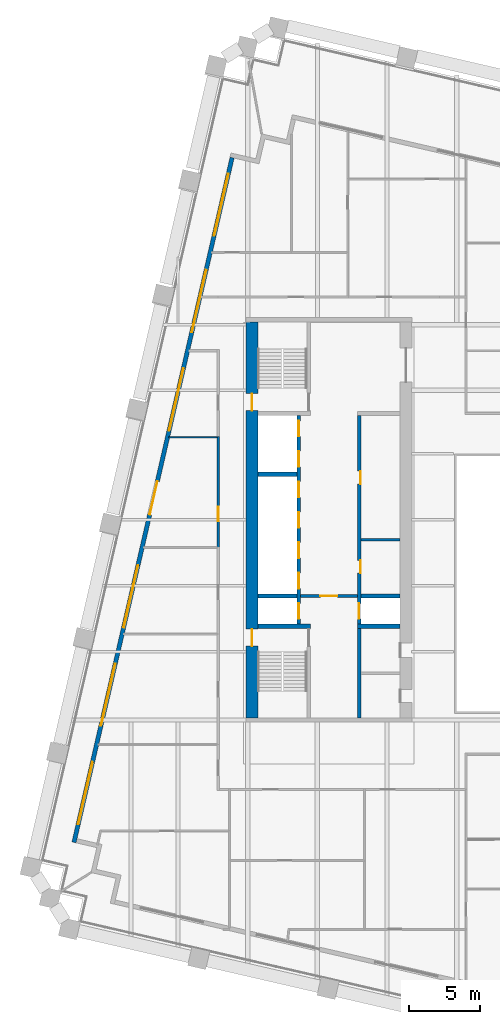
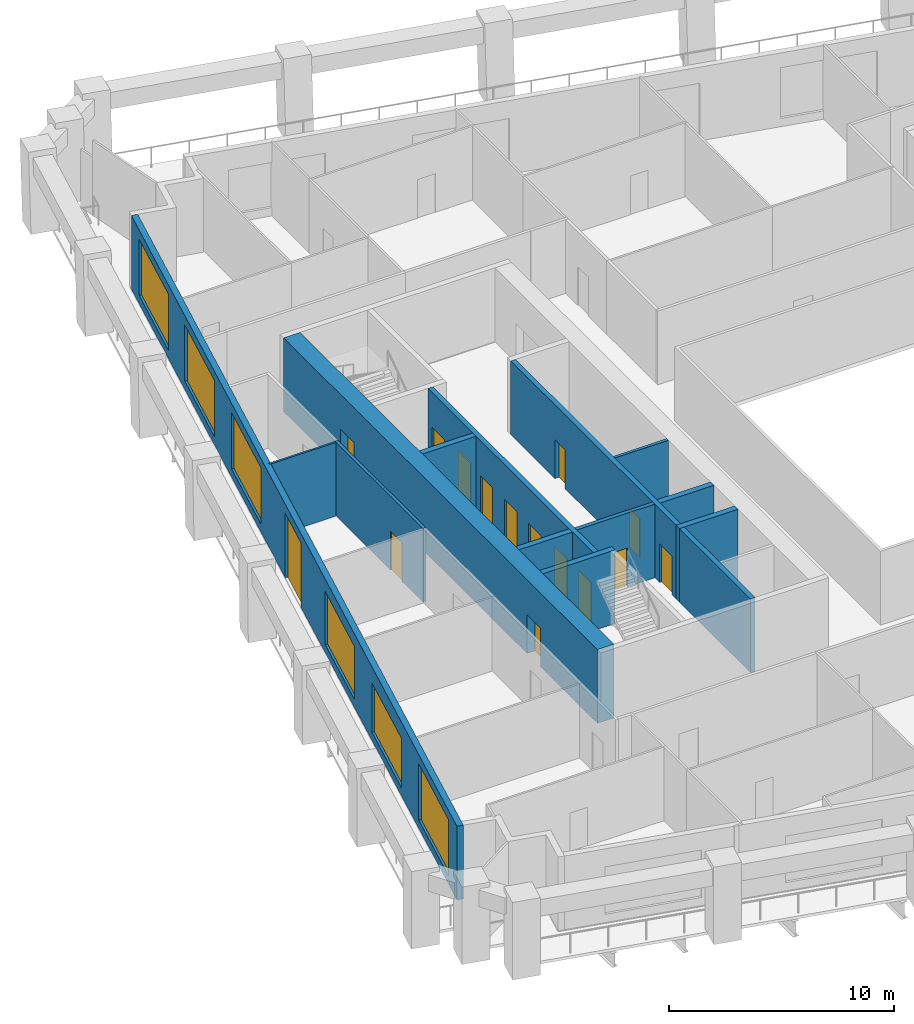
# One storey, part 6 of 11: 15 doors, 13 walls, 6 windows, 21 openings.
"""IFC4 building model written with IfcOpenShell, lengths in metres."""

from ifc_helpers import new_model, si_unit, direction, frame, frame_2d, origin, place, context, subcontext, project, spatial, rectangle, extrude, material, layer, layer_set, type_object, element, fill, save


model = new_model("IFC4")

# Units and contexts
model_context = context("Model", 3, precision=1e-05, world=origin(), true_north=direction((0.0, 1.0)))
body_context = subcontext(model_context, "Body", "Model", "MODEL_VIEW")
ifc_project = project(units=[si_unit("LENGTHUNIT", "METRE"), si_unit("AREAUNIT", "SQUARE_METRE"), si_unit("VOLUMEUNIT", "CUBIC_METRE"), si_unit("PLANEANGLEUNIT", "RADIAN"), si_unit("MASSUNIT", "GRAM", prefix="KILO")], contexts=[model_context])

# Site, building, storey
site_placement = place(None, origin())
site = spatial("IfcSite", under=ifc_project, at=site_placement, CompositionType="ELEMENT")
building_placement = place(site_placement, origin())
building = spatial("IfcBuilding", under=site, at=building_placement, Name="Ogive Exchange Tower", CompositionType="ELEMENT")
storey_placement = place(building_placement, frame((0.0, 0.0, 135.0)))
storey = spatial("IfcBuildingStorey", under=building, at=storey_placement, Name="L29", CompositionType="ELEMENT", Elevation=135.0)

# Wall
ifc_material_1 = material(Name="Gypsum board partition")
ifc_layer_1 = layer(ifc_material_1, 0.14990234375)
ifc_layer_set_1 = layer_set([ifc_layer_1], Name="Core room partition 150 gypsum")
wall_type_1 = type_object("IfcWallType", Name="Core room partition 150 gypsum", PredefinedType="PARTITIONING", material=ifc_layer_set_1)
wall_1_placement = place(storey_placement, frame((-13.75, 10.10009765625, 0.0), z_axis=(0.0, 0.0, 1.0), x_axis=(1.0, 0.0, 0.0)))
element("IfcWall", 1, at=wall_1_placement, inside=storey, type_object=wall_type_1, Name="W row B bay partition 1-1", PredefinedType="PARTITIONING", context=body_context, shape_type="SweptSolid", body=[
    extrude(rectangle(XDim=2.75, YDim=0.14990234375, at=frame_2d((1.375, 0.0))), origin(), (0.0, 0.0, 1.0), 4.0),
])

# Wall, opening, door
ifc_material_2 = material(Name="Fire partition EI 60 150")
ifc_layer_2 = layer(ifc_material_2, 0.14990234375)
ifc_layer_set_2 = layer_set([ifc_layer_2], Name="Fire partition EI 60 150")
wall_type_2 = type_object("IfcWallType", Name="Fire partition EI 60 150", PredefinedType="PARTITIONING", material=ifc_layer_set_2)
wall_2_placement = place(storey_placement, frame((-23.800048828125, 9.550048828125, 0.0), z_axis=(0.0, 0.0, 1.0), x_axis=(0.0, 1.0, 0.0)))
wall_2 = element("IfcWall", 2, at=wall_2_placement, inside=storey, type_object=wall_type_2, Name="L29-PWL-009", PredefinedType="PARTITIONING", context=body_context, shape_type="SweptSolid", body=[
    extrude(rectangle(XDim=7.820068359375, YDim=0.14990234375, at=frame_2d((3.91015625, 0.0))), origin(), (0.0, 0.0, 1.0), 4.0),
])
opening_1_placement = place(wall_2_placement, frame((1.8701171875, 0.0, 0.0)))
opening_1 = element("IfcOpeningElement", 3, at=opening_1_placement, cuts=wall_2, Name="Opening L29-I24", PredefinedType="OPENING", context=body_context, shape_type="SweptSolid", body=[
    extrude(rectangle(XDim=1.0, YDim=2.10009765625, at=frame_2d((0.5, 1.050048828125))), frame((0.0, 0.0849609375, 0.0), z_axis=(0.0, -1.0, 0.0), x_axis=(1.0, 0.0, 0.0)), (0.0, 0.0, 1.0), 0.169921875),
])
ifc_material_3 = material(Name="Fire door FD 30S 1000 x 2100")
door_type_1 = type_object("IfcDoorType", Name="Fire door FD 30S 1000 x 2100", OperationType="NOTDEFINED", PredefinedType="DOOR", material=ifc_material_3)
door_1_placement = place(opening_1_placement, origin())
door_1 = element("IfcDoor", 4, at=door_1_placement, inside=storey, type_object=door_type_1, Name="L29-IDR-024", ObjectType="DT3", OperationType="SINGLE_SWING_RIGHT", OverallHeight=2.10009765625, OverallWidth=1.0, PredefinedType="DOOR", context=body_context, shape_type="SweptSolid", body=[
    extrude(rectangle(XDim=1.0, YDim=2.10009765625, at=frame_2d((0.5, 1.050048828125))), frame((0.0, 0.02490234375, 0.0), z_axis=(0.0, -1.0, 0.0), x_axis=(1.0, 0.0, 0.0)), (0.0, 0.0, 1.0), 0.050048828125),
])
fill(opening_1, door_1)

# Wall, openings, door, windows
ifc_material_4 = material(Name="Precast concrete C40/50", Category="concrete")
ifc_layer_3 = layer(ifc_material_4, 0.300048828125)
ifc_layer_set_3 = layer_set([ifc_layer_3], Name="Limestone-faced wall 300")
wall_type_3 = type_object("IfcWallType", Name="Limestone-faced wall 300", PredefinedType="STANDARD", material=ifc_layer_set_3)
wall_3_placement = place(storey_placement, frame((-22.8203125, 37.015625, 0.0), z_axis=(0.0, 0.0, 1.0), x_axis=(-0.224953880882, -0.974369412223, 0.0)))
wall_3 = element("IfcWall", 5, at=wall_3_placement, inside=storey, type_object=wall_type_3, Name="External wall W4", PredefinedType="STANDARD", context=body_context, shape_type="SweptSolid", body=[
    extrude(rectangle(XDim=49.500244140625, YDim=0.300048828125, at=frame_2d((24.75, 0.0))), origin(), (0.0, 0.0, 1.0), 4.0),
])
opening_2_placement = place(wall_3_placement, frame((1.156982421875, 0.0, 0.449951171875)))
opening_2 = element("IfcOpeningElement", 6, at=opening_2_placement, cuts=wall_3, Name="Opening W1", PredefinedType="OPENING", context=body_context, shape_type="SweptSolid", body=[
    extrude(rectangle(XDim=4.5, YDim=3.050048828125, at=frame_2d((2.25, 1.52490234375))), frame((0.0, 0.159912109375, 0.0), z_axis=(0.0, -1.0, 0.0), x_axis=(1.0, 0.0, 0.0)), (0.0, 0.0, 1.0), 0.320068359375),
])
opening_3_placement = place(wall_3_placement, frame((8.121337890625, 0.0, 0.449951171875)))
opening_3 = element("IfcOpeningElement", 7, at=opening_3_placement, cuts=wall_3, Name="Opening W1", PredefinedType="OPENING", context=body_context, shape_type="SweptSolid", body=[
    extrude(rectangle(XDim=4.5, YDim=3.050048828125, at=frame_2d((2.25, 1.52490234375))), frame((0.0, 0.159912109375, 0.0), z_axis=(0.0, -1.0, 0.0), x_axis=(1.0, 0.0, 0.0)), (0.0, 0.0, 1.0), 0.320068359375),
])
opening_4_placement = place(wall_3_placement, frame((15.235595703125, 0.0, 0.449951171875)))
opening_4 = element("IfcOpeningElement", 8, at=opening_4_placement, cuts=wall_3, Name="Opening W1", PredefinedType="OPENING", context=body_context, shape_type="SweptSolid", body=[
    extrude(rectangle(XDim=4.5, YDim=3.050048828125, at=frame_2d((2.25, 1.52490234375))), frame((0.0, 0.159912109375, 0.0), z_axis=(0.0, -1.0, 0.0), x_axis=(1.0, 0.0, 0.0)), (0.0, 0.0, 1.0), 0.320068359375),
])
opening_5_placement = place(wall_3_placement, frame((23.39990234375, 0.0, 0.0)))
opening_5 = element("IfcOpeningElement", 9, at=opening_5_placement, cuts=wall_3, Name="Opening D1", PredefinedType="OPENING", context=body_context, shape_type="SweptSolid", body=[
    extrude(rectangle(XDim=2.39990234375, YDim=3.5, at=frame_2d((1.199951171875, 1.75))), frame((0.0, 0.159912109375, 0.0), z_axis=(0.0, -1.0, 0.0), x_axis=(1.0, 0.0, 0.0)), (0.0, 0.0, 1.0), 0.320068359375),
])
opening_6_placement = place(wall_3_placement, frame((29.464111328125, 0.0, 0.449951171875)))
opening_6 = element("IfcOpeningElement", 10, at=opening_6_placement, cuts=wall_3, Name="Opening W1D", PredefinedType="OPENING", context=body_context, shape_type="SweptSolid", body=[
    extrude(rectangle(XDim=4.5, YDim=2.875, at=frame_2d((2.25, 1.4375))), frame((0.0, 0.159912109375, 0.0), z_axis=(0.0, -1.0, 0.0), x_axis=(1.0, 0.0, 0.0)), (0.0, 0.0, 1.0), 0.320068359375),
])
opening_7_placement = place(wall_3_placement, frame((36.57861328125, 0.0, 0.449951171875)))
opening_7 = element("IfcOpeningElement", 11, at=opening_7_placement, cuts=wall_3, Name="Opening W1J", PredefinedType="OPENING", context=body_context, shape_type="SweptSolid", body=[
    extrude(rectangle(XDim=4.5, YDim=2.675048828125, at=frame_2d((2.25, 1.33740234375))), frame((0.0, 0.159912109375, 0.0), z_axis=(0.0, -1.0, 0.0), x_axis=(1.0, 0.0, 0.0)), (0.0, 0.0, 1.0), 0.320068359375),
])
opening_8_placement = place(wall_3_placement, frame((43.69287109375, 0.0, 0.449951171875)))
opening_8 = element("IfcOpeningElement", 12, at=opening_8_placement, cuts=wall_3, Name="Opening W1", PredefinedType="OPENING", context=body_context, shape_type="SweptSolid", body=[
    extrude(rectangle(XDim=4.5, YDim=3.050048828125, at=frame_2d((2.25, 1.52490234375))), frame((0.0, 0.159912109375, 0.0), z_axis=(0.0, -1.0, 0.0), x_axis=(1.0, 0.0, 0.0)), (0.0, 0.0, 1.0), 0.320068359375),
])
ifc_material_5 = material(Name="Clear glass in bronze frame", Category="glass")
door_type_2 = type_object("IfcDoorType", Name="Sliding loggia door 2400 x 3500", OperationType="DOUBLE_DOOR_SLIDING", PredefinedType="DOOR", material=ifc_material_5)
door_2_placement = place(opening_5_placement, origin())
door_2 = element("IfcDoor", 13, at=door_2_placement, inside=storey, type_object=door_type_2, Name="Loggia door W03", OperationType="DOUBLE_DOOR_SLIDING", OverallHeight=3.5, OverallWidth=2.39990234375, PredefinedType="DOOR", context=body_context, shape_type="SweptSolid", body=[
    extrude(rectangle(XDim=2.39990234375, YDim=3.5, at=frame_2d((1.199951171875, 1.75))), frame((0.0, 0.02490234375, 0.0), z_axis=(0.0, -1.0, 0.0), x_axis=(1.0, 0.0, 0.0)), (0.0, 0.0, 1.0), 0.050048828125),
])
fill(opening_5, door_2)
window_type_1 = type_object("IfcWindowType", Name="Twin lancet window 4500 x 2675", PartitioningType="DOUBLE_PANEL_VERTICAL", PredefinedType="WINDOW", material=ifc_material_5)
window_1_placement = place(opening_7_placement, origin())
window_1 = element("IfcWindow", 14, at=window_1_placement, inside=storey, type_object=window_type_1, Name="Window W05", OverallHeight=2.675048828125, OverallWidth=4.5, PartitioningType="DOUBLE_PANEL_VERTICAL", PredefinedType="WINDOW", context=body_context, shape_type="SweptSolid", body=[
    extrude(rectangle(XDim=4.5, YDim=2.675048828125, at=frame_2d((2.25, 1.33740234375))), frame((0.0, 0.030029296875, 0.0), z_axis=(0.0, -1.0, 0.0), x_axis=(1.0, 0.0, 0.0)), (0.0, 0.0, 1.0), 0.06005859375),
])
fill(opening_7, window_1)
window_type_2 = type_object("IfcWindowType", Name="Twin lancet window 4500 x 2875", PartitioningType="DOUBLE_PANEL_VERTICAL", PredefinedType="WINDOW", material=ifc_material_5)
window_2_placement = place(opening_6_placement, origin())
window_2 = element("IfcWindow", 15, at=window_2_placement, inside=storey, type_object=window_type_2, Name="Window W04", OverallHeight=2.875, OverallWidth=4.5, PartitioningType="DOUBLE_PANEL_VERTICAL", PredefinedType="WINDOW", context=body_context, shape_type="SweptSolid", body=[
    extrude(rectangle(XDim=4.5, YDim=2.875, at=frame_2d((2.25, 1.4375))), frame((0.0, 0.030029296875, 0.0), z_axis=(0.0, -1.0, 0.0), x_axis=(1.0, 0.0, 0.0)), (0.0, 0.0, 1.0), 0.06005859375),
])
fill(opening_6, window_2)
window_type_3 = type_object("IfcWindowType", Name="Twin lancet window 4500 x 3050", PartitioningType="DOUBLE_PANEL_VERTICAL", PredefinedType="WINDOW", material=ifc_material_5)
window_3_placement = place(opening_2_placement, origin())
window_3 = element("IfcWindow", 16, at=window_3_placement, inside=storey, type_object=window_type_3, Name="Window W00", OverallHeight=3.050048828125, OverallWidth=4.5, PartitioningType="DOUBLE_PANEL_VERTICAL", PredefinedType="WINDOW", context=body_context, shape_type="SweptSolid", body=[
    extrude(rectangle(XDim=4.5, YDim=3.050048828125, at=frame_2d((2.25, 1.52490234375))), frame((0.0, 0.030029296875, 0.0), z_axis=(0.0, -1.0, 0.0), x_axis=(1.0, 0.0, 0.0)), (0.0, 0.0, 1.0), 0.06005859375),
])
fill(opening_2, window_3)
window_4_placement = place(opening_3_placement, origin())
window_4 = element("IfcWindow", 17, at=window_4_placement, inside=storey, type_object=window_type_3, Name="Window W01", OverallHeight=3.050048828125, OverallWidth=4.5, PartitioningType="DOUBLE_PANEL_VERTICAL", PredefinedType="WINDOW", context=body_context, shape_type="SweptSolid", body=[
    extrude(rectangle(XDim=4.5, YDim=3.050048828125, at=frame_2d((2.25, 1.52490234375))), frame((0.0, 0.030029296875, 0.0), z_axis=(0.0, -1.0, 0.0), x_axis=(1.0, 0.0, 0.0)), (0.0, 0.0, 1.0), 0.06005859375),
])
fill(opening_3, window_4)
window_5_placement = place(opening_4_placement, origin())
window_5 = element("IfcWindow", 18, at=window_5_placement, inside=storey, type_object=window_type_3, Name="Window W02", OverallHeight=3.050048828125, OverallWidth=4.5, PartitioningType="DOUBLE_PANEL_VERTICAL", PredefinedType="WINDOW", context=body_context, shape_type="SweptSolid", body=[
    extrude(rectangle(XDim=4.5, YDim=3.050048828125, at=frame_2d((2.25, 1.52490234375))), frame((0.0, 0.030029296875, 0.0), z_axis=(0.0, -1.0, 0.0), x_axis=(1.0, 0.0, 0.0)), (0.0, 0.0, 1.0), 0.06005859375),
])
fill(opening_4, window_5)
window_6_placement = place(opening_8_placement, origin())
window_6 = element("IfcWindow", 19, at=window_6_placement, inside=storey, type_object=window_type_3, Name="Window W06", OverallHeight=3.050048828125, OverallWidth=4.5, PartitioningType="DOUBLE_PANEL_VERTICAL", PredefinedType="WINDOW", context=body_context, shape_type="SweptSolid", body=[
    extrude(rectangle(XDim=4.5, YDim=3.050048828125, at=frame_2d((2.25, 1.52490234375))), frame((0.0, 0.030029296875, 0.0), z_axis=(0.0, -1.0, 0.0), x_axis=(1.0, 0.0, 0.0)), (0.0, 0.0, 1.0), 0.06005859375),
])
fill(opening_8, window_6)

# Wall
ifc_material_6 = material(Name="Partition 100 gypsum")
ifc_layer_4 = layer(ifc_material_6, 0.10009765625)
ifc_layer_set_4 = layer_set([ifc_layer_4], Name="Partition 100 gypsum")
wall_type_4 = type_object("IfcWallType", Name="Partition 100 gypsum", PredefinedType="PARTITIONING", material=ifc_layer_set_4)
wall_4_placement = place(storey_placement, frame((-23.875, 17.320068359375, 0.0), z_axis=(0.0, 0.0, 1.0), x_axis=(-1.0, 0.0, 0.0)))
element("IfcWall", 20, at=wall_4_placement, inside=storey, type_object=wall_type_4, Name="L29-PWL-010", PredefinedType="PARTITIONING", context=body_context, shape_type="SweptSolid", body=[
    extrude(rectangle(XDim=3.4208984375, YDim=0.10009765625, at=frame_2d((1.71044921875, 0.0))), origin(), (0.0, 0.0, 1.0), 4.0),
])

# Wall, opening, door
ifc_material_7 = material(Name="Concrete C70/85", Category="concrete")
ifc_layer_5 = layer(ifc_material_7, 0.199951171875)
ifc_layer_set_5 = layer_set([ifc_layer_5], Name="RC core wall 200 C70/85")
wall_type_5 = type_object("IfcWallType", Name="RC core wall 200 C70/85", PredefinedType="SHEAR", material=ifc_layer_set_5)
wall_5_placement = place(storey_placement, frame((-18.0, 6.142822265625, 0.0), z_axis=(0.0, 0.0, 1.0), x_axis=(1.0, 0.0, 0.0)))
wall_5 = element("IfcWall", 21, at=wall_5_placement, inside=storey, type_object=wall_type_5, Name="W firefighting lobby wall", PredefinedType="SHEAR", context=body_context, shape_type="SweptSolid", body=[
    extrude(rectangle(XDim=4.0, YDim=0.199951171875, at=frame_2d((2.0, 0.0))), origin(), (0.0, 0.0, 1.0), 4.0),
])
opening_9_placement = place(wall_5_placement, frame((1.39990234375, 0.0, 0.0)))
opening_9 = element("IfcOpeningElement", 22, at=opening_9_placement, cuts=wall_5, Name="Opening L29-C11", PredefinedType="OPENING", context=body_context, shape_type="SweptSolid", body=[
    extrude(rectangle(XDim=1.199951171875, YDim=2.10009765625, at=frame_2d((0.60009765625, 1.050048828125))), frame((0.0, 0.10986328125, 0.0), z_axis=(0.0, -1.0, 0.0), x_axis=(1.0, 0.0, 0.0)), (0.0, 0.0, 1.0), 0.219970703125),
])
ifc_material_8 = material(Name="Steel fire door", Category="steel")
door_type_3 = type_object("IfcDoorType", Name="Firefighting lobby door FD60 1200 x 2100", OperationType="NOTDEFINED", PredefinedType="DOOR", material=ifc_material_8)
door_3_placement = place(opening_9_placement, frame((1.199951171875, 0.0, 0.0), z_axis=(0.0, 0.0, 1.0), x_axis=(-1.0, 0.0, 0.0)))
door_3 = element("IfcDoor", 23, at=door_3_placement, inside=storey, type_object=door_type_3, Name="Firefighting lobby door", ObjectType="CD3", OperationType="SINGLE_SWING_LEFT", OverallHeight=2.10009765625, OverallWidth=1.199951171875, PredefinedType="DOOR", context=body_context, shape_type="SweptSolid", body=[
    extrude(rectangle(XDim=1.199951171875, YDim=2.10009765625, at=frame_2d((0.60009765625, 1.050048828125))), frame((0.0, 0.02490234375, 0.0), z_axis=(0.0, -1.0, 0.0), x_axis=(1.0, 0.0, 0.0)), (0.0, 0.0, 1.0), 0.050048828125),
])
fill(opening_9, door_3)

# Wall, openings, doors
ifc_layer_6 = layer(ifc_material_7, 0.25)
ifc_layer_set_6 = layer_set([ifc_layer_6], Name="RC core wall 250 C70/85")
wall_type_6 = type_object("IfcWallType", Name="RC core wall 250 C70/85", PredefinedType="SHEAR", material=ifc_layer_set_6)
wall_6_placement = place(storey_placement, frame((-18.125, 4.14990234375, 0.0), z_axis=(0.0, 0.0, 1.0), x_axis=(0.0, 1.0, 0.0)))
wall_6 = element("IfcWall", 24, at=wall_6_placement, inside=storey, type_object=wall_type_6, Name="W row A front wall", PredefinedType="SHEAR", context=body_context, shape_type="SweptSolid", body=[
    extrude(rectangle(XDim=14.7001953125, YDim=0.25, at=frame_2d((7.35009765625, 0.0))), origin(), (0.0, 0.0, 1.0), 4.0),
])
opening_10_placement = place(wall_6_placement, frame((0.371337890625, 0.0, 0.0)))
opening_10 = element("IfcOpeningElement", 25, at=opening_10_placement, cuts=wall_6, Name="Opening L29-C01", PredefinedType="OPENING", context=body_context, shape_type="SweptSolid", body=[
    extrude(rectangle(XDim=1.10009765625, YDim=2.10009765625, at=frame_2d((0.550048828125, 1.050048828125))), frame((0.0, 0.135009765625, 0.0), z_axis=(0.0, -1.0, 0.0), x_axis=(1.0, 0.0, 0.0)), (0.0, 0.0, 1.0), 0.27001953125),
])
opening_11_placement = place(wall_6_placement, frame((2.514404296875, 0.0, 0.0)))
opening_11 = element("IfcOpeningElement", 26, at=opening_11_placement, cuts=wall_6, Name="Opening L29-C02", PredefinedType="OPENING", context=body_context, shape_type="SweptSolid", body=[
    extrude(rectangle(XDim=1.10009765625, YDim=2.10009765625, at=frame_2d((0.550048828125, 1.050048828125))), frame((0.0, 0.135009765625, 0.0), z_axis=(0.0, -1.0, 0.0), x_axis=(1.0, 0.0, 0.0)), (0.0, 0.0, 1.0), 0.27001953125),
])
opening_12_placement = place(wall_6_placement, frame((4.656982421875, 0.0, 0.0)))
opening_12 = element("IfcOpeningElement", 27, at=opening_12_placement, cuts=wall_6, Name="Opening L29-C03", PredefinedType="OPENING", context=body_context, shape_type="SweptSolid", body=[
    extrude(rectangle(XDim=1.10009765625, YDim=2.10009765625, at=frame_2d((0.550048828125, 1.050048828125))), frame((0.0, 0.135009765625, 0.0), z_axis=(0.0, -1.0, 0.0), x_axis=(1.0, 0.0, 0.0)), (0.0, 0.0, 1.0), 0.27001953125),
])
opening_13_placement = place(wall_6_placement, frame((6.800048828125, 0.0, 0.0)))
opening_13 = element("IfcOpeningElement", 28, at=opening_13_placement, cuts=wall_6, Name="Opening L29-C04", PredefinedType="OPENING", context=body_context, shape_type="SweptSolid", body=[
    extrude(rectangle(XDim=1.10009765625, YDim=2.10009765625, at=frame_2d((0.550048828125, 1.050048828125))), frame((0.0, 0.135009765625, 0.0), z_axis=(0.0, -1.0, 0.0), x_axis=(1.0, 0.0, 0.0)), (0.0, 0.0, 1.0), 0.27001953125),
])
opening_14_placement = place(wall_6_placement, frame((8.94287109375, 0.0, 0.0)))
opening_14 = element("IfcOpeningElement", 29, at=opening_14_placement, cuts=wall_6, Name="Opening L29-C05", PredefinedType="OPENING", context=body_context, shape_type="SweptSolid", body=[
    extrude(rectangle(XDim=1.10009765625, YDim=2.10009765625, at=frame_2d((0.550048828125, 1.050048828125))), frame((0.0, 0.135009765625, 0.0), z_axis=(0.0, -1.0, 0.0), x_axis=(1.0, 0.0, 0.0)), (0.0, 0.0, 1.0), 0.27001953125),
])
opening_15_placement = place(wall_6_placement, frame((11.085693359375, 0.0, 0.0)))
opening_15 = element("IfcOpeningElement", 30, at=opening_15_placement, cuts=wall_6, Name="Opening L29-C06", PredefinedType="OPENING", context=body_context, shape_type="SweptSolid", body=[
    extrude(rectangle(XDim=1.10009765625, YDim=2.10009765625, at=frame_2d((0.550048828125, 1.050048828125))), frame((0.0, 0.135009765625, 0.0), z_axis=(0.0, -1.0, 0.0), x_axis=(1.0, 0.0, 0.0)), (0.0, 0.0, 1.0), 0.27001953125),
])
opening_16_placement = place(wall_6_placement, frame((13.228515625, 0.0, 0.0)))
opening_16 = element("IfcOpeningElement", 31, at=opening_16_placement, cuts=wall_6, Name="Opening L29-C07", PredefinedType="OPENING", context=body_context, shape_type="SweptSolid", body=[
    extrude(rectangle(XDim=1.10009765625, YDim=2.10009765625, at=frame_2d((0.550048828125, 1.050048828125))), frame((0.0, 0.135009765625, 0.0), z_axis=(0.0, -1.0, 0.0), x_axis=(1.0, 0.0, 0.0)), (0.0, 0.0, 1.0), 0.27001953125),
])
ifc_material_9 = material(Name="Stainless steel", Category="steel")
door_type_4 = type_object("IfcDoorType", Name="Lift landing door FD90 1100 x 2100", OperationType="SLIDING_TO_LEFT", PredefinedType="DOOR", material=ifc_material_9)
door_4_placement = place(opening_10_placement, origin())
door_4 = element("IfcDoor", 32, at=door_4_placement, inside=storey, type_object=door_type_4, Name="Lift landing door FF1", ObjectType="LD", OperationType="SLIDING_TO_LEFT", OverallHeight=2.10009765625, OverallWidth=1.10009765625, PredefinedType="DOOR", context=body_context, shape_type="SweptSolid", body=[
    extrude(rectangle(XDim=1.10009765625, YDim=2.10009765625, at=frame_2d((0.550048828125, 1.050048828125))), frame((0.0, 0.02490234375, 0.0), z_axis=(0.0, -1.0, 0.0), x_axis=(1.0, 0.0, 0.0)), (0.0, 0.0, 1.0), 0.050048828125),
])
fill(opening_10, door_4)
door_5_placement = place(opening_11_placement, origin())
door_5 = element("IfcDoor", 33, at=door_5_placement, inside=storey, type_object=door_type_4, Name="Lift landing door W-L1", ObjectType="LD", OperationType="SLIDING_TO_LEFT", OverallHeight=2.10009765625, OverallWidth=1.10009765625, PredefinedType="DOOR", context=body_context, shape_type="SweptSolid", body=[
    extrude(rectangle(XDim=1.10009765625, YDim=2.10009765625, at=frame_2d((0.550048828125, 1.050048828125))), frame((0.0, 0.02490234375, 0.0), z_axis=(0.0, -1.0, 0.0), x_axis=(1.0, 0.0, 0.0)), (0.0, 0.0, 1.0), 0.050048828125),
])
fill(opening_11, door_5)
door_6_placement = place(opening_12_placement, origin())
door_6 = element("IfcDoor", 34, at=door_6_placement, inside=storey, type_object=door_type_4, Name="Lift landing door W-L2", ObjectType="LD", OperationType="SLIDING_TO_LEFT", OverallHeight=2.10009765625, OverallWidth=1.10009765625, PredefinedType="DOOR", context=body_context, shape_type="SweptSolid", body=[
    extrude(rectangle(XDim=1.10009765625, YDim=2.10009765625, at=frame_2d((0.550048828125, 1.050048828125))), frame((0.0, 0.02490234375, 0.0), z_axis=(0.0, -1.0, 0.0), x_axis=(1.0, 0.0, 0.0)), (0.0, 0.0, 1.0), 0.050048828125),
])
fill(opening_12, door_6)
door_7_placement = place(opening_13_placement, origin())
door_7 = element("IfcDoor", 35, at=door_7_placement, inside=storey, type_object=door_type_4, Name="Lift landing door W-L3", ObjectType="LD", OperationType="SLIDING_TO_LEFT", OverallHeight=2.10009765625, OverallWidth=1.10009765625, PredefinedType="DOOR", context=body_context, shape_type="SweptSolid", body=[
    extrude(rectangle(XDim=1.10009765625, YDim=2.10009765625, at=frame_2d((0.550048828125, 1.050048828125))), frame((0.0, 0.02490234375, 0.0), z_axis=(0.0, -1.0, 0.0), x_axis=(1.0, 0.0, 0.0)), (0.0, 0.0, 1.0), 0.050048828125),
])
fill(opening_13, door_7)
door_8_placement = place(opening_14_placement, origin())
door_8 = element("IfcDoor", 36, at=door_8_placement, inside=storey, type_object=door_type_4, Name="Lift landing door W-L4", ObjectType="LD", OperationType="SLIDING_TO_LEFT", OverallHeight=2.10009765625, OverallWidth=1.10009765625, PredefinedType="DOOR", context=body_context, shape_type="SweptSolid", body=[
    extrude(rectangle(XDim=1.10009765625, YDim=2.10009765625, at=frame_2d((0.550048828125, 1.050048828125))), frame((0.0, 0.02490234375, 0.0), z_axis=(0.0, -1.0, 0.0), x_axis=(1.0, 0.0, 0.0)), (0.0, 0.0, 1.0), 0.050048828125),
])
fill(opening_14, door_8)
door_9_placement = place(opening_15_placement, origin())
door_9 = element("IfcDoor", 37, at=door_9_placement, inside=storey, type_object=door_type_4, Name="Lift landing door W-SH1", ObjectType="LD", OperationType="SLIDING_TO_LEFT", OverallHeight=2.10009765625, OverallWidth=1.10009765625, PredefinedType="DOOR", context=body_context, shape_type="SweptSolid", body=[
    extrude(rectangle(XDim=1.10009765625, YDim=2.10009765625, at=frame_2d((0.550048828125, 1.050048828125))), frame((0.0, 0.02490234375, 0.0), z_axis=(0.0, -1.0, 0.0), x_axis=(1.0, 0.0, 0.0)), (0.0, 0.0, 1.0), 0.050048828125),
])
fill(opening_15, door_9)
door_10_placement = place(opening_16_placement, origin())
door_10 = element("IfcDoor", 38, at=door_10_placement, inside=storey, type_object=door_type_4, Name="Lift landing door W-SH2", ObjectType="LD", OperationType="SLIDING_TO_LEFT", OverallHeight=2.10009765625, OverallWidth=1.10009765625, PredefinedType="DOOR", context=body_context, shape_type="SweptSolid", body=[
    extrude(rectangle(XDim=1.10009765625, YDim=2.10009765625, at=frame_2d((0.550048828125, 1.050048828125))), frame((0.0, 0.02490234375, 0.0), z_axis=(0.0, -1.0, 0.0), x_axis=(1.0, 0.0, 0.0)), (0.0, 0.0, 1.0), 0.050048828125),
])
fill(opening_16, door_10)

wall_7_placement = place(storey_placement, frame((-13.875, -2.449951171875, 0.0), z_axis=(0.0, 0.0, 1.0), x_axis=(0.0, 1.0, 0.0)))
wall_7 = element("IfcWall", 39, at=wall_7_placement, inside=storey, type_object=wall_type_6, Name="W row B front wall", PredefinedType="SHEAR", context=body_context, shape_type="SweptSolid", body=[
    extrude(rectangle(XDim=21.300048828125, YDim=0.25, at=frame_2d((10.64990234375, 0.0))), origin(), (0.0, 0.0, 1.0), 4.0),
])
opening_17_placement = place(wall_7_placement, frame((10.1962890625, 0.0, 0.0)))
opening_17 = element("IfcOpeningElement", 40, at=opening_17_placement, cuts=wall_7, Name="Opening L29-C08", PredefinedType="OPENING", context=body_context, shape_type="SweptSolid", body=[
    extrude(rectangle(XDim=0.89990234375, YDim=2.10009765625, at=frame_2d((0.449951171875, 1.050048828125))), frame((0.0, 0.135009765625, 0.0), z_axis=(0.0, -1.0, 0.0), x_axis=(1.0, 0.0, 0.0)), (0.0, 0.0, 1.0), 0.27001953125),
])
opening_18_placement = place(wall_7_placement, frame((16.47509765625, 0.0, 0.0)))
opening_18 = element("IfcOpeningElement", 41, at=opening_18_placement, cuts=wall_7, Name="Opening L29-C09", PredefinedType="OPENING", context=body_context, shape_type="SweptSolid", body=[
    extrude(rectangle(XDim=0.89990234375, YDim=2.10009765625, at=frame_2d((0.449951171875, 1.050048828125))), frame((0.0, 0.135009765625, 0.0), z_axis=(0.0, -1.0, 0.0), x_axis=(1.0, 0.0, 0.0)), (0.0, 0.0, 1.0), 0.27001953125),
])
opening_19_placement = place(wall_7_placement, frame((6.971435546875, 0.0, 0.0)))
opening_19 = element("IfcOpeningElement", 42, at=opening_19_placement, cuts=wall_7, Name="Opening L29-C10", PredefinedType="OPENING", context=body_context, shape_type="SweptSolid", body=[
    extrude(rectangle(XDim=1.10009765625, YDim=2.10009765625, at=frame_2d((0.550048828125, 1.050048828125))), frame((0.0, 0.135009765625, 0.0), z_axis=(0.0, -1.0, 0.0), x_axis=(1.0, 0.0, 0.0)), (0.0, 0.0, 1.0), 0.27001953125),
])
ifc_material_10 = material(Name="Timber fire door", Category="wood")
door_type_5 = type_object("IfcDoorType", Name="Core room door FD30S 900 x 2100", OperationType="NOTDEFINED", PredefinedType="DOOR", material=ifc_material_10)
door_11_placement = place(opening_18_placement, frame((0.89990234375, -0.2001953125, 0.0), z_axis=(0.0, 0.0, 1.0), x_axis=(-1.0, 0.0, 0.0)))
door_11 = element("IfcDoor", 43, at=door_11_placement, inside=storey, type_object=door_type_5, Name="Core room door", ObjectType="CD6", OperationType="SINGLE_SWING_RIGHT", OverallHeight=2.10009765625, OverallWidth=0.89990234375, PredefinedType="DOOR", context=body_context, shape_type="SweptSolid", body=[
    extrude(rectangle(XDim=0.89990234375, YDim=2.10009765625, at=frame_2d((0.449951171875, 1.050048828125))), frame((0.0, -0.0751953125, 0.0), z_axis=(0.0, -1.0, 0.0), x_axis=(1.0, 0.0, 0.0)), (0.0, 0.0, 1.0), 0.050048828125),
])
fill(opening_18, door_11)
door_12_placement = place(opening_19_placement, origin())
door_12 = element("IfcDoor", 44, at=door_12_placement, inside=storey, type_object=door_type_4, Name="Lift landing door SV1", ObjectType="LD", OperationType="SLIDING_TO_LEFT", OverallHeight=2.10009765625, OverallWidth=1.10009765625, PredefinedType="DOOR", context=body_context, shape_type="SweptSolid", body=[
    extrude(rectangle(XDim=1.10009765625, YDim=2.10009765625, at=frame_2d((0.550048828125, 1.050048828125))), frame((0.0, 0.02490234375, 0.0), z_axis=(0.0, -1.0, 0.0), x_axis=(1.0, 0.0, 0.0)), (0.0, 0.0, 1.0), 0.050048828125),
])
fill(opening_19, door_12)
door_type_6 = type_object("IfcDoorType", Name="Riser door FD60 900 x 2100", OperationType="NOTDEFINED", PredefinedType="DOOR", material=ifc_material_8)
door_13_placement = place(opening_17_placement, frame((0.89990234375, -0.2001953125, 0.0), z_axis=(0.0, 0.0, 1.0), x_axis=(-1.0, 0.0, 0.0)))
door_13 = element("IfcDoor", 45, at=door_13_placement, inside=storey, type_object=door_type_6, Name="Riser door", ObjectType="CD2", OperationType="SINGLE_SWING_RIGHT", OverallHeight=2.10009765625, OverallWidth=0.89990234375, PredefinedType="DOOR", context=body_context, shape_type="SweptSolid", body=[
    extrude(rectangle(XDim=0.89990234375, YDim=2.10009765625, at=frame_2d((0.449951171875, 1.050048828125))), frame((0.0, -0.0751953125, 0.0), z_axis=(0.0, -1.0, 0.0), x_axis=(1.0, 0.0, 0.0)), (0.0, 0.0, 1.0), 0.050048828125),
])
fill(opening_17, door_13)

# Walls
ifc_layer_7 = layer(ifc_material_7, 0.300048828125)
ifc_layer_set_7 = layer_set([ifc_layer_7], Name="RC core wall 300 C70/85")
wall_type_7 = type_object("IfcWallType", Name="RC core wall 300 C70/85", PredefinedType="SHEAR", material=ifc_layer_set_7)
wall_8_placement = place(storey_placement, frame((-21.0, 4.0, 0.0), z_axis=(0.0, 0.0, 1.0), x_axis=(1.0, 0.0, 0.0)))
element("IfcWall", 46, at=wall_8_placement, inside=storey, type_object=wall_type_7, Name="W stair S north wall", PredefinedType="SHEAR", context=body_context, shape_type="SweptSolid", body=[
    extrude(rectangle(XDim=3.699951171875, YDim=0.300048828125, at=frame_2d((1.85009765625, 0.0))), origin(), (0.0, 0.0, 1.0), 4.0),
])
for number, where, z_axis, x_axis, name in (
    (47, (-21.0, 6.142822265625, 0.0), (0.0, 0.0, 1.0), (1.0, 0.0, 0.0), "W row A divider 1"),
    (48, (-21.0, 14.71435546875, 0.0), (0.0, 0.0, 1.0), (1.0, 0.0, 0.0), "W row A divider 5"),
):
    element("IfcWall", number, at=place(storey_placement, frame(where, z_axis=z_axis, x_axis=x_axis)), inside=storey, type_object=wall_type_7, Name=name, PredefinedType="SHEAR", context=body_context, shape_type="SweptSolid", body=[
        extrude(rectangle(XDim=2.75, YDim=0.300048828125, at=frame_2d((1.375, 0.0))), origin(), (0.0, 0.0, 1.0), 4.0),
    ])
wall_9_placement = place(storey_placement, frame((-14.0, 4.0, 0.0), z_axis=(0.0, 0.0, 1.0), x_axis=(1.0, 0.0, 0.0)))
element("IfcWall", 49, at=wall_9_placement, inside=storey, type_object=wall_type_7, Name="W row B divider 0", PredefinedType="SHEAR", context=body_context, shape_type="SweptSolid", body=[
    extrude(rectangle(XDim=3.0, YDim=0.300048828125, at=frame_2d((1.5, 0.0))), origin(), (0.0, 0.0, 1.0), 4.0),
])
wall_10_placement = place(storey_placement, frame((-13.75, 6.142822265625, 0.0), z_axis=(0.0, 0.0, 1.0), x_axis=(1.0, 0.0, 0.0)))
element("IfcWall", 50, at=wall_10_placement, inside=storey, type_object=wall_type_7, Name="W row B divider 1", PredefinedType="SHEAR", context=body_context, shape_type="SweptSolid", body=[
    extrude(rectangle(XDim=2.75, YDim=0.300048828125, at=frame_2d((1.375, 0.0))), origin(), (0.0, 0.0, 1.0), 4.0),
])

# Wall, openings, doors
ifc_layer_8 = layer(ifc_material_7, 0.85009765625)
ifc_layer_set_8 = layer_set([ifc_layer_8], Name="RC core wall 850 C70/85")
wall_type_8 = type_object("IfcWallType", Name="RC core wall 850 C70/85", PredefinedType="SHEAR", material=ifc_layer_set_8)
wall_11_placement = place(storey_placement, frame((-21.425048828125, -2.449951171875, 0.0), z_axis=(0.0, 0.0, 1.0), x_axis=(0.0, 1.0, 0.0)))
wall_11 = element("IfcWall", 51, at=wall_11_placement, inside=storey, type_object=wall_type_8, Name="W outer wall", PredefinedType="SHEAR", context=body_context, shape_type="SweptSolid", body=[
    extrude(rectangle(XDim=27.89990234375, YDim=0.85009765625, at=frame_2d((13.949951171875, 0.0))), origin(), (0.0, 0.0, 1.0), 4.0),
])
opening_20_placement = place(wall_11_placement, frame((5.050048828125, 0.0, 0.0)))
opening_20 = element("IfcOpeningElement", 52, at=opening_20_placement, cuts=wall_11, Name="Opening L29-C14", PredefinedType="OPENING", context=body_context, shape_type="SweptSolid", body=[
    extrude(rectangle(XDim=1.199951171875, YDim=2.10009765625, at=frame_2d((0.60009765625, 1.050048828125))), frame((0.0, 0.43505859375, 0.0), z_axis=(0.0, -1.0, 0.0), x_axis=(1.0, 0.0, 0.0)), (0.0, 0.0, 1.0), 0.8701171875),
])
opening_21_placement = place(wall_11_placement, frame((21.64990234375, 0.0, 0.0)))
opening_21 = element("IfcOpeningElement", 53, at=opening_21_placement, cuts=wall_11, Name="Opening L29-C16", PredefinedType="OPENING", context=body_context, shape_type="SweptSolid", body=[
    extrude(rectangle(XDim=1.199951171875, YDim=2.10009765625, at=frame_2d((0.60009765625, 1.050048828125))), frame((0.0, 0.43505859375, 0.0), z_axis=(0.0, -1.0, 0.0), x_axis=(1.0, 0.0, 0.0)), (0.0, 0.0, 1.0), 0.8701171875),
])
door_type_7 = type_object("IfcDoorType", Name="Stair door FD90 1200 x 2100", OperationType="NOTDEFINED", PredefinedType="DOOR", material=ifc_material_8)
door_14_placement = place(opening_20_placement, frame((1.199951171875, 0.0, 0.0), z_axis=(0.0, 0.0, 1.0), x_axis=(-1.0, 0.0, 0.0)))
door_14 = element("IfcDoor", 54, at=door_14_placement, inside=storey, type_object=door_type_7, Name="Stair door", ObjectType="CD5", OperationType="SINGLE_SWING_RIGHT", OverallHeight=2.10009765625, OverallWidth=1.199951171875, PredefinedType="DOOR", context=body_context, shape_type="SweptSolid", body=[
    extrude(rectangle(XDim=1.199951171875, YDim=2.10009765625, at=frame_2d((0.60009765625, 1.050048828125))), frame((0.0, 0.02490234375, 0.0), z_axis=(0.0, -1.0, 0.0), x_axis=(1.0, 0.0, 0.0)), (0.0, 0.0, 1.0), 0.050048828125),
])
fill(opening_20, door_14)
door_15_placement = place(opening_21_placement, frame((1.199951171875, 0.0, 0.0), z_axis=(0.0, 0.0, 1.0), x_axis=(-1.0, 0.0, 0.0)))
door_15 = element("IfcDoor", 55, at=door_15_placement, inside=storey, type_object=door_type_7, Name="Stair door", ObjectType="CD5", OperationType="SINGLE_SWING_LEFT", OverallHeight=2.10009765625, OverallWidth=1.199951171875, PredefinedType="DOOR", context=body_context, shape_type="SweptSolid", body=[
    extrude(rectangle(XDim=1.199951171875, YDim=2.10009765625, at=frame_2d((0.60009765625, 1.050048828125))), frame((0.0, 0.02490234375, 0.0), z_axis=(0.0, -1.0, 0.0), x_axis=(1.0, 0.0, 0.0)), (0.0, 0.0, 1.0), 0.050048828125),
])
fill(opening_21, door_15)

save(model, "model.ifc")
